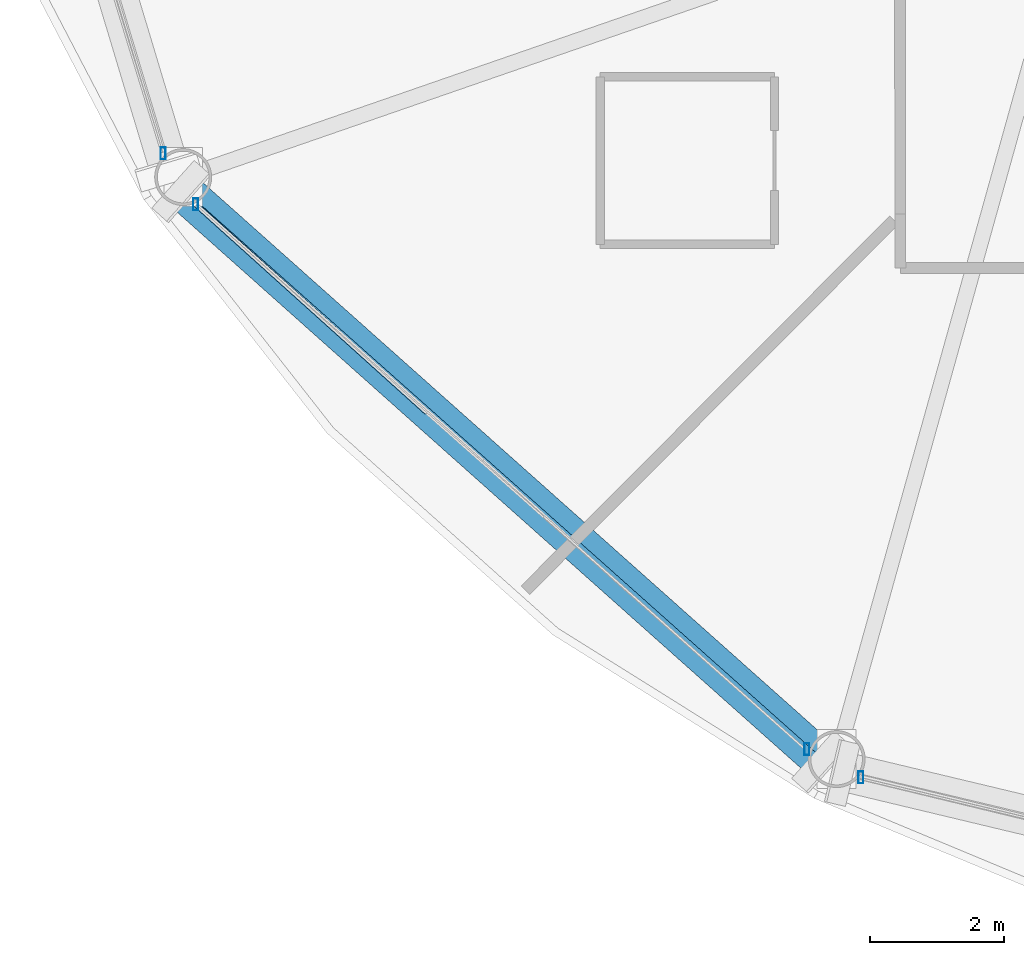
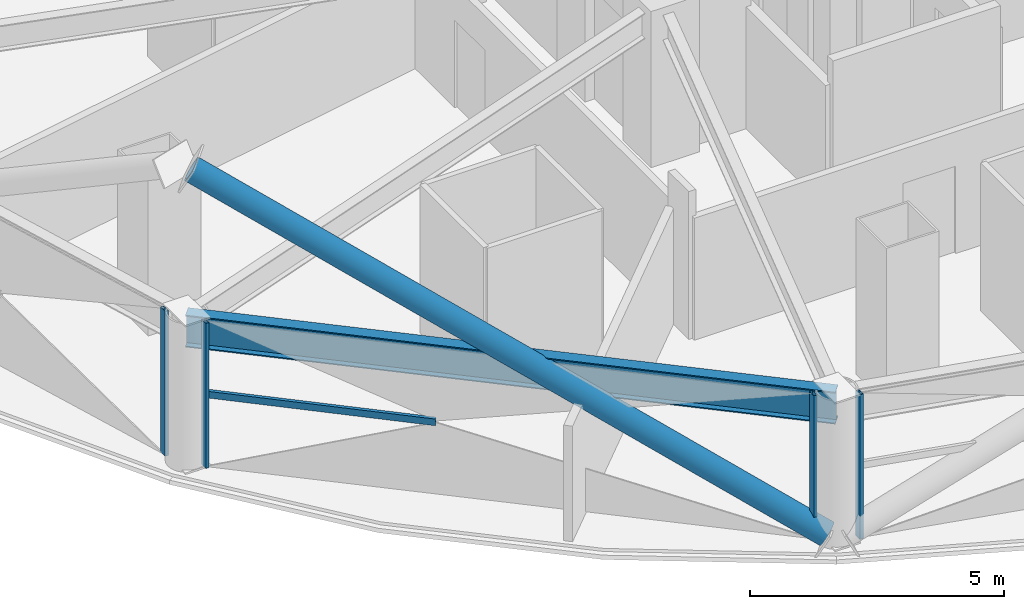
# One storey, part 2 of 31: 6 members, 1 beam, 3 elements without a shape of their own.
"""IFC4 building model written with IfcOpenShell, lengths in metres."""

from ifc_helpers import new_model, si_unit, direction, frame, origin, origin_2d, place, context, subcontext, project, spatial, hollow_rectangle, hollow_circle, i_section, extrude, material, layer, layer_set, material_profile, profile_set, type_object, element, aggregate, save


model = new_model("IFC4")

# Units and contexts
model_context = context("Model", 3, precision=1e-05, world=origin(), true_north=direction((0.0, 1.0)))
body_context = subcontext(model_context, "Body", "Model", "MODEL_VIEW")
ifc_project = project(units=[si_unit("LENGTHUNIT", "METRE"), si_unit("AREAUNIT", "SQUARE_METRE"), si_unit("VOLUMEUNIT", "CUBIC_METRE"), si_unit("PLANEANGLEUNIT", "RADIAN"), si_unit("MASSUNIT", "GRAM", prefix="KILO")], contexts=[model_context])

# Site, building, storey
site_placement = place(None, origin())
site = spatial("IfcSite", under=ifc_project, at=site_placement, CompositionType="ELEMENT")
building_placement = place(site_placement, origin())
building = spatial("IfcBuilding", under=site, at=building_placement, Name="Vantalir Tower", CompositionType="ELEMENT")
storey_placement = place(building_placement, frame((0.0, 0.0, 42.0)))
storey = spatial("IfcBuildingStorey", under=building, at=storey_placement, Name="L09", CompositionType="ELEMENT", Elevation=42.0)

# Beam
ifc_material_1 = material(Name="Steel S460", Category="steel")
ifc_material_profile_1 = material_profile(ifc_material_1, i_section(OverallWidth=0.26806640625, OverallDepth=0.77001953125, WebThickness=0.015625, FlangeThickness=0.025390625, at=origin_2d()), Name="Steel S460")
ifc_profile_set_1 = profile_set([ifc_material_profile_1], Name="Steel S460")
beam_type = type_object("IfcBeamType", Name="BM-RG-762x267", PredefinedType="USERDEFINED", material=ifc_profile_set_1)
beam_placement = place(storey_placement, frame((8.429931640625, 13.136962890625, 3.18505859375), z_axis=(0.746746630555, -0.665108615005, 0.0), x_axis=(0.665108615005, 0.746746630555, 0.0)))
element("IfcBeam", 1, at=beam_placement, inside=storey, type_object=beam_type, Name="L09 Circumferential Ring Girder 08", ObjectType="GIRDER", PredefinedType="USERDEFINED", context=body_context, shape_type="SweptSolid", body=[
    extrude(i_section(OverallWidth=0.26806640625, OverallDepth=0.77001953125, WebThickness=0.015625, FlangeThickness=0.025390625, at=origin_2d()), origin(), (0.0, 0.0, 1.0), 13.056640625),
])

# Curtain wall, member
ifc_material_2 = material(Name="Champagne-silver PVDF aluminium and double-silver Low-E glass", Category="aluminium")
ifc_layer = layer(ifc_material_2, 0.18994140625)
ifc_layer_set = layer_set([ifc_layer], Name="Champagne-silver PVDF aluminium and double-silver Low-E glass")
curtain_wall_type = type_object("IfcCurtainWallType", Name="CW-DIAMOND-Z1", PredefinedType="USERDEFINED", material=ifc_layer_set)
curtain_wall_1_placement = place(storey_placement, origin())
curtain_wall_1 = element("IfcCurtainWall", 2, at=curtain_wall_1_placement, inside=storey, type_object=curtain_wall_type, Name="L09 Quilted Pyramid-Diamond Curtain Wall S07", ObjectType="UNITISED CURTAIN WALL", PredefinedType="USERDEFINED")
ifc_material_3 = material(Name="Champagne-silver PVDF aluminium 6063-T6", Category="aluminium")
ifc_material_profile_2 = material_profile(ifc_material_3, hollow_rectangle(XDim=0.074951171875, YDim=0.179931640625, WallThickness=0.00390625, at=origin_2d()), Name="Champagne-silver PVDF aluminium 6063-T6")
ifc_profile_set_2 = profile_set([ifc_material_profile_2], Name="Champagne-silver PVDF aluminium 6063-T6")
member_type_1 = type_object("IfcMemberType", Name="CWM-180x75", PredefinedType="MULLION", material=ifc_profile_set_2)
member_1_placement = place(storey_placement, frame((8.1298828125, 13.491943359375, 0.044921875), z_axis=(0.0, 0.0, 1.0), x_axis=(1.0, 0.0, 0.0)))
member_1 = element("IfcMember", 3, at=member_1_placement, type_object=member_type_1, Name="CW-L09-S07 Mullion 2", PredefinedType="MULLION", context=body_context, shape_type="SweptSolid", body=[
    extrude(hollow_rectangle(XDim=0.074951171875, YDim=0.179931640625, WallThickness=0.00390625, at=origin_2d()), origin(), (0.0, 0.0, 1.0), 3.47998046875),
])
aggregate(curtain_wall_1, [member_1])

# Curtain wall, members
curtain_wall_2_placement = place(storey_placement, origin())
curtain_wall_2 = element("IfcCurtainWall", 4, at=curtain_wall_2_placement, inside=storey, type_object=curtain_wall_type, Name="L09 Quilted Pyramid-Diamond Curtain Wall S08", ObjectType="UNITISED CURTAIN WALL", PredefinedType="USERDEFINED")
member_2_placement = place(storey_placement, frame((8.615966796875, 12.72900390625, 0.044921875), z_axis=(0.0, 0.0, 1.0), x_axis=(1.0, 0.0, 0.0)))
member_2 = element("IfcMember", 5, at=member_2_placement, type_object=member_type_1, Name="CW-L09-S08 Mullion 1", PredefinedType="MULLION", context=body_context, shape_type="SweptSolid", body=[
    extrude(hollow_rectangle(XDim=0.074951171875, YDim=0.179931640625, WallThickness=0.00390625, at=origin_2d()), origin(), (0.0, 0.0, 1.0), 3.47998046875),
])
member_3_placement = place(storey_placement, frame((17.73388671875, 4.60107421875, 0.044921875), z_axis=(0.0, 0.0, 1.0), x_axis=(1.0, 0.0, 0.0)))
member_3 = element("IfcMember", 6, at=member_3_placement, type_object=member_type_1, Name="CW-L09-S08 Mullion 2", PredefinedType="MULLION", context=body_context, shape_type="SweptSolid", body=[
    extrude(hollow_rectangle(XDim=0.074951171875, YDim=0.179931640625, WallThickness=0.00390625, at=origin_2d()), origin(), (0.0, 0.0, 1.0), 3.47998046875),
])

# Curtain wall, member
curtain_wall_3_placement = place(storey_placement, origin())
curtain_wall_3 = element("IfcCurtainWall", 7, at=curtain_wall_3_placement, inside=storey, type_object=curtain_wall_type, Name="L09 Quilted Pyramid-Diamond Curtain Wall S09", ObjectType="UNITISED CURTAIN WALL", PredefinedType="USERDEFINED")
member_4_placement = place(storey_placement, frame((18.5419921875, 4.178955078125, 0.044921875), z_axis=(0.0, 0.0, 1.0), x_axis=(1.0, 0.0, 0.0)))
member_4 = element("IfcMember", 8, at=member_4_placement, type_object=member_type_1, Name="CW-L09-S09 Mullion 1", PredefinedType="MULLION", context=body_context, shape_type="SweptSolid", body=[
    extrude(hollow_rectangle(XDim=0.074951171875, YDim=0.179931640625, WallThickness=0.00390625, at=origin_2d()), origin(), (0.0, 0.0, 1.0), 3.47998046875),
])
aggregate(curtain_wall_3, [member_4])

# Member
ifc_material_profile_3 = material_profile(ifc_material_3, hollow_rectangle(XDim=0.074951171875, YDim=0.159912109375, WallThickness=0.00390625, at=origin_2d()), Name="Champagne-silver PVDF aluminium 6063-T6")
ifc_profile_set_3 = profile_set([ifc_material_profile_3], Name="Champagne-silver PVDF aluminium 6063-T6")
member_type_2 = type_object("IfcMemberType", Name="CWT-160x75", PredefinedType="USERDEFINED", material=ifc_profile_set_3)
member_5_placement = place(storey_placement, frame((8.615966796875, 12.72900390625, 1.784912109375), z_axis=(0.743123962124, -0.669153776734, 0.0), x_axis=(0.669153776734, 0.743123962124, 0.0)))
member_5 = element("IfcMember", 9, at=member_5_placement, type_object=member_type_2, Name="CW-L09-S08 Pyramid Fold Ridge Transom", ObjectType="TRANSOM", PredefinedType="USERDEFINED", context=body_context, shape_type="SweptSolid", body=[
    extrude(hollow_rectangle(XDim=0.074951171875, YDim=0.159912109375, WallThickness=0.00390625, at=origin_2d()), origin(), (0.0, 0.0, 1.0), 4.63720703125),
])

aggregate(curtain_wall_2, [member_2, member_3, member_5])

ifc_material_profile_4 = material_profile(ifc_material_1, hollow_circle(Radius=0.27001953125, WallThickness=0.044921875, at=origin_2d()), Name="Steel S460")
ifc_profile_set_4 = profile_set([ifc_material_profile_4], Name="Steel S460")
member_type_3 = type_object("IfcMemberType", Name="MEM-DB-540x45", PredefinedType="BRACE", material=ifc_profile_set_4)
member_6_placement = place(storey_placement, frame((17.94091796875, 4.4169921875, 0.18505859375), z_axis=(-0.655674281331, 0.58441884564, 0.478064691921), x_axis=(-0.665379095264, -0.746505632655, 0.0)))
element("IfcMember", 10, at=member_6_placement, inside=storey, type_object=member_type_3, Name="L09 Perimeter S460 Diagrid Brace R25R", PredefinedType="BRACE", context=body_context, shape_type="SweptSolid", body=[
    extrude(hollow_circle(Radius=0.27001953125, WallThickness=0.044921875, at=origin_2d()), origin(), (0.0, 0.0, 1.0), 14.53759765625),
])

save(model, "model.ifc")
